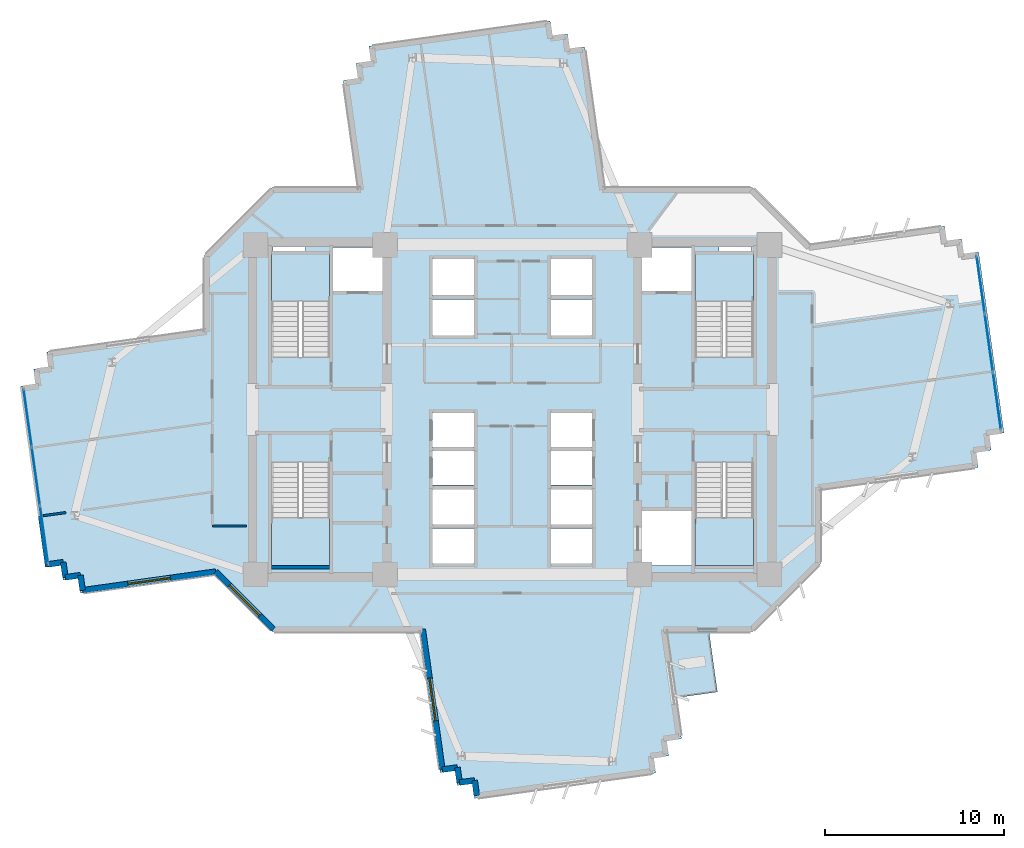
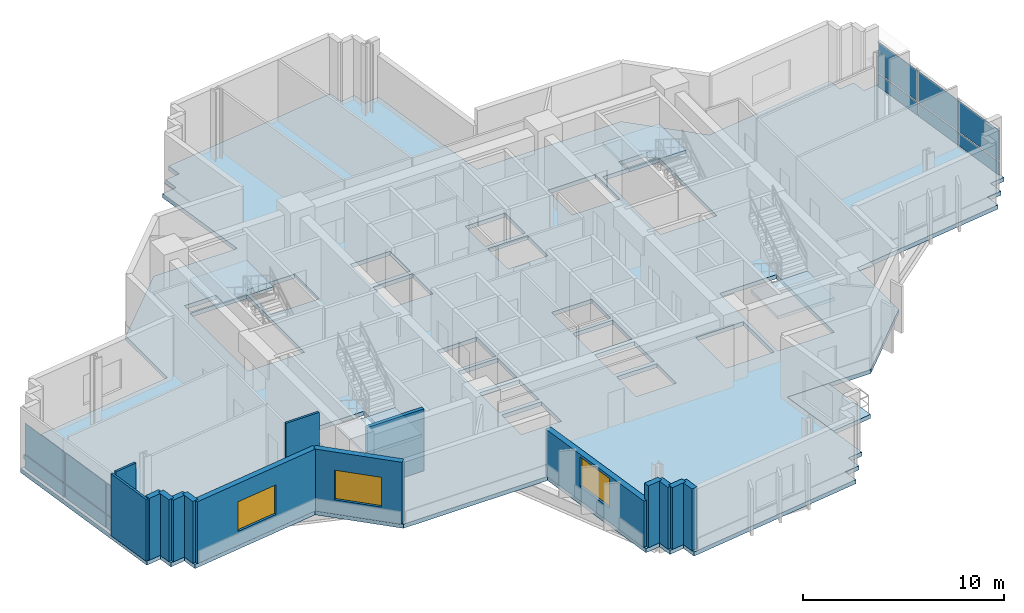
# One storey, part 5 of 14: 15 walls, 12 plates, 6 slabs, 3 windows, 3 openings, 6 elements without a shape of their own.
"""IFC4 building model written with IfcOpenShell, lengths in metres."""

from ifc_helpers import new_model, si_unit, direction, frame, frame_2d, origin, origin_2d, place, context, subcontext, project, spatial, polyline, rectangle, outline, extrude, source, transform, mapped, material, layer, layer_set, type_object, element, fill, aggregate, save


model = new_model("IFC4")

# Units and contexts
model_context = context("Model", 3, precision=1e-05, world=origin(), true_north=direction((0.0, 1.0)))
body_context = subcontext(model_context, "Body", "Model", "MODEL_VIEW")
ifc_project = project(units=[si_unit("LENGTHUNIT", "METRE"), si_unit("AREAUNIT", "SQUARE_METRE"), si_unit("VOLUMEUNIT", "CUBIC_METRE"), si_unit("PLANEANGLEUNIT", "RADIAN"), si_unit("MASSUNIT", "GRAM", prefix="KILO")], contexts=[model_context])

# Site, building, storey
site_placement = place(None, origin())
site = spatial("IfcSite", under=ifc_project, at=site_placement, CompositionType="ELEMENT")
building_placement = place(site_placement, origin())
building = spatial("IfcBuilding", under=site, at=building_placement, Name="Zahravan Cultural Tower", CompositionType="ELEMENT")
storey_placement = place(building_placement, frame((0.0, 0.0, 121.5)))
storey = spatial("IfcBuildingStorey", under=building, at=storey_placement, Name="L27", CompositionType="ELEMENT", Elevation=121.5)

# Stair, slab
ifc_material_1 = material(Name="Concrete C45/55", Category="concrete")
stair_type = type_object("IfcStairType", Name="STR-DL-1550-420", PredefinedType="HALF_TURN_STAIR", material=ifc_material_1)
stair_1_placement = place(storey_placement, origin())
stair_1 = element("IfcStair", 1, at=stair_1_placement, inside=storey, type_object=stair_type, Name="L27 West Core North Exit Stair ST-W1", PredefinedType="HALF_TURN_STAIR")
ifc_layer_1 = layer(ifc_material_1, 0.199951171875)
ifc_layer_set_1 = layer_set([ifc_layer_1], Name="Concrete C45/55")
slab_type_1 = type_object("IfcSlabType", Name="SL-STAIR-LND200", PredefinedType="LANDING", material=ifc_layer_set_1)
slab_1_placement = place(storey_placement, frame((0.0, 0.0, 1.89990234375)))
slab_1 = element("IfcSlab", 2, at=slab_1_placement, type_object=slab_type_1, Name="ST-W1 landing 1", PredefinedType="LANDING", context=body_context, shape_type="SweptSolid", body=[
    extrude(outline(polyline([(25.800048828125, 33.030029296875), (25.800048828125, 35.699951171875), (22.550048828125, 35.699951171875), (22.550048828125, 33.030029296875), (25.800048828125, 33.030029296875)])), origin(), (0.0, 0.0, 1.0), 0.2001953125),
])
aggregate(stair_1, [slab_1])

stair_2_placement = place(storey_placement, origin())
stair_2 = element("IfcStair", 3, at=stair_2_placement, inside=storey, type_object=stair_type, Name="L27 West Core South Exit Stair ST-W2", PredefinedType="HALF_TURN_STAIR")
slab_2_placement = place(storey_placement, frame((0.0, 0.0, 1.89990234375)))
slab_2 = element("IfcSlab", 4, at=slab_2_placement, type_object=slab_type_1, Name="ST-W2 landing 1", PredefinedType="LANDING", context=body_context, shape_type="SweptSolid", body=[
    extrude(outline(polyline([(22.550048828125, 20.969970703125), (22.550048828125, 18.300048828125), (25.800048828125, 18.300048828125), (25.800048828125, 20.969970703125), (22.550048828125, 20.969970703125)])), origin(), (0.0, 0.0, 1.0), 0.2001953125),
])
aggregate(stair_2, [slab_2])

stair_3_placement = place(storey_placement, origin())
stair_3 = element("IfcStair", 5, at=stair_3_placement, inside=storey, type_object=stair_type, Name="L27 East Core North Exit Stair ST-E1", PredefinedType="HALF_TURN_STAIR")
slab_3_placement = place(storey_placement, frame((0.0, 0.0, 1.89990234375)))
slab_3 = element("IfcSlab", 6, at=slab_3_placement, type_object=slab_type_1, Name="ST-E1 landing 1", PredefinedType="LANDING", context=body_context, shape_type="SweptSolid", body=[
    extrude(outline(polyline([(49.449951171875, 33.030029296875), (49.449951171875, 35.699951171875), (46.199951171875, 35.699951171875), (46.199951171875, 33.030029296875), (49.449951171875, 33.030029296875)])), origin(), (0.0, 0.0, 1.0), 0.2001953125),
])
aggregate(stair_3, [slab_3])

stair_4_placement = place(storey_placement, origin())
stair_4 = element("IfcStair", 7, at=stair_4_placement, inside=storey, type_object=stair_type, Name="L27 East Core South Exit Stair ST-E2", PredefinedType="HALF_TURN_STAIR")
slab_4_placement = place(storey_placement, frame((0.0, 0.0, 1.89990234375)))
slab_4 = element("IfcSlab", 8, at=slab_4_placement, type_object=slab_type_1, Name="ST-E2 landing 1", PredefinedType="LANDING", context=body_context, shape_type="SweptSolid", body=[
    extrude(outline(polyline([(46.199951171875, 20.969970703125), (46.199951171875, 18.300048828125), (49.449951171875, 18.300048828125), (49.449951171875, 20.969970703125), (46.199951171875, 20.969970703125)])), origin(), (0.0, 0.0, 1.0), 0.2001953125),
])
aggregate(stair_4, [slab_4])

# Slabs
ifc_material_2 = material(Name="Concrete C40/50", Category="concrete")
ifc_layer_2 = layer(ifc_material_2, 0.239990234375)
ifc_layer_set_2 = layer_set([ifc_layer_2], Name="Concrete C40/50")
slab_type_2 = type_object("IfcSlabType", Name="SL-TERR-240", PredefinedType="FLOOR", material=ifc_layer_set_2)
slab_5_placement = place(storey_placement, frame((0.0, 0.0, -0.239990234375)))
element("IfcSlab", 9, at=slab_5_placement, inside=storey, type_object=slab_type_2, Name="L27 Planted Sculpture Terrace SE", PredefinedType="FLOOR", context=body_context, shape_type="SweptSolid", body=[
    extrude(outline(polyline([(47.44921875, 11.23681640625), (46.978515625, 14.594970703125), (44.610595703125, 14.594970703125), (45.126953125, 10.911376953125), (47.44921875, 11.23681640625)])), origin(), (0.0, 0.0, 1.0), 0.239990234375),
])
ifc_layer_3 = layer(ifc_material_2, 0.25)
ifc_layer_set_3 = layer_set([ifc_layer_3], Name="Concrete C40/50")
slab_type_3 = type_object("IfcSlabType", Name="SL-TYP-250", PredefinedType="FLOOR", material=ifc_layer_set_3)
slab_6_placement = place(storey_placement, frame((0.0, 0.0, -0.25)))
element("IfcSlab", 10, at=slab_6_placement, inside=storey, type_object=slab_type_3, Name="L27 Structural Floor Slab", PredefinedType="FLOOR", context=body_context, shape_type="SweptSolid", body=[
    extrude(outline(polyline([(52.605712890625, 36.1943359375), (49.39990234375, 39.39990234375), (41.128173828125, 39.39990234375), (40.027099609375, 47.255126953125), (39.185302734375, 47.13720703125), (39.067138671875, 47.97900390625), (38.2255859375, 47.861083984375), (38.107421875, 48.70263671875), (28.006103515625, 47.28662109375), (28.124267578125, 46.44482421875), (27.282470703125, 46.326904296875), (27.400390625, 45.485107421875), (26.55859375, 45.3671875), (27.395263671875, 39.39990234375), (22.60009765625, 39.39990234375), (18.800048828125, 35.60009765625), (18.800048828125, 31.455322265625), (10.0009765625, 30.2216796875), (10.118896484375, 29.3798828125), (9.277099609375, 29.261962890625), (9.395263671875, 28.42041015625), (8.553466796875, 28.30224609375), (9.969482421875, 18.200927734375), (10.811279296875, 18.319091796875), (10.92919921875, 17.477294921875), (11.77099609375, 17.59521484375), (11.888916015625, 16.75341796875), (19.394287109375, 17.8056640625), (22.60009765625, 14.60009765625), (30.871826171875, 14.60009765625), (31.972900390625, 6.744873046875), (32.814697265625, 6.86279296875), (32.932861328125, 6.02099609375), (33.7744140625, 6.138916015625), (33.892578125, 5.29736328125), (43.993896484375, 6.71337890625), (43.875732421875, 7.55517578125), (44.717529296875, 7.673095703125), (44.599609375, 8.514892578125), (45.44140625, 8.6328125), (44.604736328125, 14.60009765625), (49.39990234375, 14.60009765625), (53.199951171875, 18.39990234375), (53.199951171875, 22.544677734375), (61.9990234375, 23.7783203125), (61.881103515625, 24.6201171875), (62.722900390625, 24.738037109375), (62.604736328125, 25.57958984375), (63.446533203125, 25.69775390625), (62.030517578125, 35.799072265625), (61.188720703125, 35.680908203125), (61.07080078125, 36.522705078125), (60.22900390625, 36.40478515625), (60.111083984375, 37.24658203125), (52.605712890625, 36.1943359375)]), holes=[polyline([(22.550048828125, 29.949951171875), (22.550048828125, 35.699951171875), (25.800048828125, 35.699951171875), (25.800048828125, 29.949951171875), (22.550048828125, 29.949951171875)]), polyline([(22.550048828125, 18.300048828125), (22.550048828125, 24.050048828125), (25.800048828125, 24.050048828125), (25.800048828125, 18.300048828125), (22.550048828125, 18.300048828125)]), polyline([(46.199951171875, 29.949951171875), (46.199951171875, 35.699951171875), (49.449951171875, 35.699951171875), (49.449951171875, 29.949951171875), (46.199951171875, 29.949951171875)]), polyline([(46.199951171875, 18.300048828125), (46.199951171875, 24.050048828125), (49.449951171875, 24.050048828125), (49.449951171875, 18.300048828125), (46.199951171875, 18.300048828125)]), polyline([(26.0, 33.60009765625), (26.0, 36.050048828125), (28.75, 36.050048828125), (28.75, 33.60009765625), (26.0, 33.60009765625)]), polyline([(43.25, 33.60009765625), (43.25, 36.050048828125), (46.0, 36.050048828125), (46.0, 33.60009765625), (43.25, 33.60009765625)]), polyline([(43.25, 18.300048828125), (43.25, 21.35009765625), (46.0, 21.35009765625), (46.0, 18.300048828125), (43.25, 18.300048828125)]), polyline([(31.550048828125, 33.39990234375), (31.550048828125, 35.39990234375), (33.85009765625, 35.39990234375), (33.85009765625, 33.39990234375), (31.550048828125, 33.39990234375)]), polyline([(31.550048828125, 31.14990234375), (31.550048828125, 33.14990234375), (33.85009765625, 33.14990234375), (33.85009765625, 31.14990234375), (31.550048828125, 31.14990234375)]), polyline([(38.14990234375, 33.39990234375), (38.14990234375, 35.39990234375), (40.449951171875, 35.39990234375), (40.449951171875, 33.39990234375), (38.14990234375, 33.39990234375)]), polyline([(38.14990234375, 31.14990234375), (38.14990234375, 33.14990234375), (40.449951171875, 33.14990234375), (40.449951171875, 31.14990234375), (38.14990234375, 31.14990234375)]), polyline([(31.550048828125, 20.60009765625), (31.550048828125, 22.550048828125), (33.85009765625, 22.550048828125), (33.85009765625, 20.60009765625), (31.550048828125, 20.60009765625)]), polyline([(31.550048828125, 18.39990234375), (31.550048828125, 20.35009765625), (33.85009765625, 20.35009765625), (33.85009765625, 18.39990234375), (31.550048828125, 18.39990234375)]), polyline([(38.14990234375, 20.60009765625), (38.14990234375, 22.550048828125), (40.449951171875, 22.550048828125), (40.449951171875, 20.60009765625), (38.14990234375, 20.60009765625)]), polyline([(38.14990234375, 18.39990234375), (38.14990234375, 20.35009765625), (40.449951171875, 20.35009765625), (40.449951171875, 18.39990234375), (38.14990234375, 18.39990234375)]), polyline([(31.550048828125, 24.89990234375), (31.550048828125, 26.800048828125), (33.85009765625, 26.800048828125), (33.85009765625, 24.89990234375), (31.550048828125, 24.89990234375)]), polyline([(31.550048828125, 22.800048828125), (31.550048828125, 24.699951171875), (33.85009765625, 24.699951171875), (33.85009765625, 22.800048828125), (31.550048828125, 22.800048828125)]), polyline([(38.14990234375, 24.89990234375), (38.14990234375, 26.800048828125), (40.449951171875, 26.800048828125), (40.449951171875, 24.89990234375), (38.14990234375, 24.89990234375)]), polyline([(38.14990234375, 22.800048828125), (38.14990234375, 24.699951171875), (40.449951171875, 24.699951171875), (40.449951171875, 22.800048828125), (38.14990234375, 22.800048828125)]), polyline([(22.64990234375, 35.800048828125), (22.64990234375, 36.419921875), (24.449951171875, 36.419921875), (24.449951171875, 35.800048828125), (22.64990234375, 35.800048828125)]), polyline([(47.550048828125, 35.800048828125), (47.550048828125, 36.419921875), (49.35009765625, 36.419921875), (49.35009765625, 35.800048828125), (47.550048828125, 35.800048828125)])]), origin(), (0.0, 0.0, 1.0), 0.25),
])

# Curtain wall, plates
ifc_material_3 = material(Name="Anodised bronze-aluminium mullion", Category="aluminium")
ifc_layer_4 = layer(ifc_material_3, 0.219970703125)
ifc_layer_set_4 = layer_set([ifc_layer_4], Name="Anodised bronze-aluminium mullion")
curtain_wall_type_1 = type_object("IfcCurtainWallType", Name="CW-SYS-1", PredefinedType="USERDEFINED", material=ifc_layer_set_4)
curtain_wall_1_placement = place(storey_placement, origin())
curtain_wall_1 = element("IfcCurtainWall", 11, at=curtain_wall_1_placement, inside=storey, type_object=curtain_wall_type_1, Name="L27 Recessed Curtain Wall CW-1.1", ObjectType="RECESSED GLAZING", PredefinedType="USERDEFINED")
ifc_material_4 = material(Name="Low-E solar-control double glazing", Category="glass")
ifc_layer_5 = layer(ifc_material_4, 0.031982421875)
ifc_layer_set_5 = layer_set([ifc_layer_5], Name="Low-E solar-control double glazing")
plate_type_1 = type_object("IfcPlateType", Name="CWP-CW-1", PredefinedType="CURTAIN_PANEL", material=ifc_layer_set_5)
shared_shape_1 = source(origin(), body_context, "Body", "SweptSolid", [
    extrude(rectangle(XDim=3.186767578125, YDim=0.031982421875, at=origin_2d()), origin(), (0.0, 0.0, 1.0), 0.780029296875),
])
plate_1_placement = place(storey_placement, frame((62.1435546875, 33.983642578125, 0.080078125), z_axis=(0.0, 0.0, 1.0), x_axis=(0.138829759313, -0.99031626157, 0.0)))
plate_1 = element("IfcPlate", 12, at=plate_1_placement, type_object=plate_type_1, Name="CW-1 panel 1.1", PredefinedType="CURTAIN_PANEL", context=body_context, shape_type="MappedRepresentation", body=[
    mapped(shared_shape_1, transform((0.0, 0.0, 0.0), x_axis=(1.0, 0.0, 0.0), y_axis=(0.0, 1.0, 0.0), z_axis=(0.0, 0.0, 1.0), scale=1.0)),
])
plate_2_placement = place(storey_placement, frame((63.05615234375, 27.47412109375, 0.080078125), z_axis=(0.0, 0.0, 1.0), x_axis=(0.138829759313, -0.99031626157, 0.0)))
plate_2 = element("IfcPlate", 13, at=plate_2_placement, type_object=plate_type_1, Name="CW-1 panel 3.1", PredefinedType="CURTAIN_PANEL", context=body_context, shape_type="MappedRepresentation", body=[
    mapped(shared_shape_1, transform((0.0, 0.0, 0.0), x_axis=(1.0, 0.0, 0.0), y_axis=(0.0, 1.0, 0.0), z_axis=(0.0, 0.0, 1.0), scale=1.0)),
])
shared_shape_2 = source(origin(), body_context, "Body", "SweptSolid", [
    extrude(rectangle(XDim=3.226806640625, YDim=0.031982421875, at=origin_2d()), origin(), (0.0, 0.0, 1.0), 0.780029296875),
])
plate_3_placement = place(storey_placement, frame((62.599853515625, 30.72900390625, 0.080078125), z_axis=(0.0, 0.0, 1.0), x_axis=(0.138829759313, -0.99031626157, 0.0)))
plate_3 = element("IfcPlate", 14, at=plate_3_placement, type_object=plate_type_1, Name="CW-1 panel 2.1", PredefinedType="CURTAIN_PANEL", context=body_context, shape_type="MappedRepresentation", body=[
    mapped(shared_shape_2, transform((0.0, 0.0, 0.0), x_axis=(1.0, 0.0, 0.0), y_axis=(0.0, 1.0, 0.0), z_axis=(0.0, 0.0, 1.0), scale=1.0)),
])

ifc_layer_6 = layer(ifc_material_3, 0.199951171875)
ifc_layer_set_6 = layer_set([ifc_layer_6], Name="Anodised bronze-aluminium mullion")
curtain_wall_type_2 = type_object("IfcCurtainWallType", Name="CW-SYS-2", PredefinedType="USERDEFINED", material=ifc_layer_set_6)
curtain_wall_2_placement = place(storey_placement, origin())
curtain_wall_2 = element("IfcCurtainWall", 15, at=curtain_wall_2_placement, inside=storey, type_object=curtain_wall_type_2, Name="L27 Recessed Curtain Wall CW-2.2", ObjectType="RECESSED GLAZING", PredefinedType="USERDEFINED")
ifc_layer_7 = layer(ifc_material_4, 0.030029296875)
ifc_layer_set_7 = layer_set([ifc_layer_7], Name="Low-E solar-control double glazing")
plate_type_2 = type_object("IfcPlateType", Name="CWP-CW-2", PredefinedType="CURTAIN_PANEL", material=ifc_layer_set_7)
shared_shape_3 = source(origin(), body_context, "Body", "SweptSolid", [
    extrude(rectangle(XDim=3.194091796875, YDim=0.030029296875, at=origin_2d()), origin(), (0.0, 0.0, 1.0), 0.78759765625),
])
plate_4_placement = place(storey_placement, frame((9.8564453125, 20.014892578125, 0.074951171875), z_axis=(0.0, 0.0, 1.0), x_axis=(-0.138829759313, 0.99031626157, 0.0)))
plate_4 = element("IfcPlate", 16, at=plate_4_placement, type_object=plate_type_2, Name="CW-2 panel 1.1", PredefinedType="CURTAIN_PANEL", context=body_context, shape_type="MappedRepresentation", body=[
    mapped(shared_shape_3, transform((0.0, 0.0, 0.0), x_axis=(1.0, 0.0, 0.0), y_axis=(0.0, 1.0, 0.0), z_axis=(0.0, 0.0, 1.0), scale=1.0)),
])
plate_5_placement = place(storey_placement, frame((8.943603515625, 26.527099609375, 0.074951171875), z_axis=(0.0, 0.0, 1.0), x_axis=(-0.138829759313, 0.99031626157, 0.0)))
plate_5 = element("IfcPlate", 17, at=plate_5_placement, type_object=plate_type_2, Name="CW-2 panel 3.1", PredefinedType="CURTAIN_PANEL", context=body_context, shape_type="MappedRepresentation", body=[
    mapped(shared_shape_3, transform((0.0, 0.0, 0.0), x_axis=(1.0, 0.0, 0.0), y_axis=(0.0, 1.0, 0.0), z_axis=(0.0, 0.0, 1.0), scale=1.0)),
])
shared_shape_4 = source(origin(), body_context, "Body", "SweptSolid", [
    extrude(rectangle(XDim=3.231689453125, YDim=0.030029296875, at=origin_2d()), origin(), (0.0, 0.0, 1.0), 0.78759765625),
])
plate_6_placement = place(storey_placement, frame((9.400146484375, 23.27099609375, 0.074951171875), z_axis=(0.0, 0.0, 1.0), x_axis=(-0.138829759313, 0.99031626157, 0.0)))
plate_6 = element("IfcPlate", 18, at=plate_6_placement, type_object=plate_type_2, Name="CW-2 panel 2.1", PredefinedType="CURTAIN_PANEL", context=body_context, shape_type="MappedRepresentation", body=[
    mapped(shared_shape_4, transform((0.0, 0.0, 0.0), x_axis=(1.0, 0.0, 0.0), y_axis=(0.0, 1.0, 0.0), z_axis=(0.0, 0.0, 1.0), scale=1.0)),
])

# Plate
shared_shape_5 = source(origin(), body_context, "Body", "SweptSolid", [
    extrude(rectangle(XDim=3.186767578125, YDim=0.031982421875, at=origin_2d()), origin(), (0.0, 0.0, 1.0), 1.85009765625),
])
plate_7_placement = place(storey_placement, frame((62.1435546875, 33.983642578125, 0.93994140625), z_axis=(0.0, 0.0, 1.0), x_axis=(0.138829759313, -0.99031626157, 0.0)))
plate_7 = element("IfcPlate", 19, at=plate_7_placement, type_object=plate_type_1, Name="CW-1 panel 1.2", PredefinedType="CURTAIN_PANEL", context=body_context, shape_type="MappedRepresentation", body=[
    mapped(shared_shape_5, transform((0.0, 0.0, 0.0), x_axis=(1.0, 0.0, 0.0), y_axis=(0.0, 1.0, 0.0), z_axis=(0.0, 0.0, 1.0), scale=1.0)),
])

plate_8_placement = place(storey_placement, frame((63.05615234375, 27.47412109375, 0.93994140625), z_axis=(0.0, 0.0, 1.0), x_axis=(0.138829759313, -0.99031626157, 0.0)))
plate_8 = element("IfcPlate", 20, at=plate_8_placement, type_object=plate_type_1, Name="CW-1 panel 3.2", PredefinedType="CURTAIN_PANEL", context=body_context, shape_type="MappedRepresentation", body=[
    mapped(shared_shape_5, transform((0.0, 0.0, 0.0), x_axis=(1.0, 0.0, 0.0), y_axis=(0.0, 1.0, 0.0), z_axis=(0.0, 0.0, 1.0), scale=1.0)),
])

shared_shape_6 = source(origin(), body_context, "Body", "SweptSolid", [
    extrude(rectangle(XDim=3.226806640625, YDim=0.031982421875, at=origin_2d()), origin(), (0.0, 0.0, 1.0), 1.85009765625),
])
plate_9_placement = place(storey_placement, frame((62.599853515625, 30.72900390625, 0.93994140625), z_axis=(0.0, 0.0, 1.0), x_axis=(0.138829759313, -0.99031626157, 0.0)))
plate_9 = element("IfcPlate", 21, at=plate_9_placement, type_object=plate_type_1, Name="CW-1 panel 2.2", PredefinedType="CURTAIN_PANEL", context=body_context, shape_type="MappedRepresentation", body=[
    mapped(shared_shape_6, transform((0.0, 0.0, 0.0), x_axis=(1.0, 0.0, 0.0), y_axis=(0.0, 1.0, 0.0), z_axis=(0.0, 0.0, 1.0), scale=1.0)),
])

aggregate(curtain_wall_1, [plate_1, plate_7, plate_3, plate_9, plate_2, plate_8])

shared_shape_7 = source(origin(), body_context, "Body", "SweptSolid", [
    extrude(rectangle(XDim=3.194091796875, YDim=0.030029296875, at=origin_2d()), origin(), (0.0, 0.0, 1.0), 1.857421875),
])
plate_10_placement = place(storey_placement, frame((9.8564453125, 20.014892578125, 0.9375), z_axis=(0.0, 0.0, 1.0), x_axis=(-0.138829759313, 0.99031626157, 0.0)))
plate_10 = element("IfcPlate", 22, at=plate_10_placement, type_object=plate_type_2, Name="CW-2 panel 1.2", PredefinedType="CURTAIN_PANEL", context=body_context, shape_type="MappedRepresentation", body=[
    mapped(shared_shape_7, transform((0.0, 0.0, 0.0), x_axis=(1.0, 0.0, 0.0), y_axis=(0.0, 1.0, 0.0), z_axis=(0.0, 0.0, 1.0), scale=1.0)),
])

plate_11_placement = place(storey_placement, frame((8.943603515625, 26.527099609375, 0.9375), z_axis=(0.0, 0.0, 1.0), x_axis=(-0.138829759313, 0.99031626157, 0.0)))
plate_11 = element("IfcPlate", 23, at=plate_11_placement, type_object=plate_type_2, Name="CW-2 panel 3.2", PredefinedType="CURTAIN_PANEL", context=body_context, shape_type="MappedRepresentation", body=[
    mapped(shared_shape_7, transform((0.0, 0.0, 0.0), x_axis=(1.0, 0.0, 0.0), y_axis=(0.0, 1.0, 0.0), z_axis=(0.0, 0.0, 1.0), scale=1.0)),
])

shared_shape_8 = source(origin(), body_context, "Body", "SweptSolid", [
    extrude(rectangle(XDim=3.231689453125, YDim=0.030029296875, at=origin_2d()), origin(), (0.0, 0.0, 1.0), 1.857421875),
])
plate_12_placement = place(storey_placement, frame((9.400146484375, 23.27099609375, 0.9375), z_axis=(0.0, 0.0, 1.0), x_axis=(-0.138829759313, 0.99031626157, 0.0)))
plate_12 = element("IfcPlate", 24, at=plate_12_placement, type_object=plate_type_2, Name="CW-2 panel 2.2", PredefinedType="CURTAIN_PANEL", context=body_context, shape_type="MappedRepresentation", body=[
    mapped(shared_shape_8, transform((0.0, 0.0, 0.0), x_axis=(1.0, 0.0, 0.0), y_axis=(0.0, 1.0, 0.0), z_axis=(0.0, 0.0, 1.0), scale=1.0)),
])

aggregate(curtain_wall_2, [plate_4, plate_10, plate_6, plate_12, plate_5, plate_11])

# Wall, opening, window
ifc_material_5 = material(Name="Precast concrete C40/50", Category="concrete")
ifc_layer_8 = layer(ifc_material_5, 0.320068359375)
ifc_layer_set_8 = layer_set([ifc_layer_8], Name="Precast concrete C40/50")
wall_type_1 = type_object("IfcWallType", Name="EW-TC-320", PredefinedType="SOLIDWALL", material=ifc_layer_set_8)
wall_1_placement = place(storey_placement, frame((32.09228515625, 6.90283203125, 0.0), z_axis=(0.0, 0.0, 1.0), x_axis=(-0.138855403592, 0.990312666229, 0.0)))
wall_1 = element("IfcWall", 25, at=wall_1_placement, inside=storey, type_object=wall_type_1, Name="L27 Exterior Masonry Frame Wall 24", PredefinedType="SOLIDWALL", context=body_context, shape_type="SweptSolid", body=[
    extrude(rectangle(XDim=7.913818359375, YDim=0.320068359375, at=frame_2d((3.95703125, 0.0))), origin(), (0.0, 0.0, 1.0), 2.81005859375),
])
opening_1_placement = place(wall_1_placement, frame((2.757080078125, 0.0, 0.85009765625)))
opening_1 = element("IfcOpeningElement", 26, at=opening_1_placement, cuts=wall_1, Name="Opening WN-01", PredefinedType="OPENING", context=body_context, shape_type="SweptSolid", body=[
    extrude(rectangle(XDim=2.39990234375, YDim=1.800048828125, at=frame_2d((1.199951171875, 0.89990234375))), frame((0.0, 0.169921875, 0.0), z_axis=(0.0, -1.0, 0.0), x_axis=(1.0, 0.0, 0.0)), (0.0, 0.0, 1.0), 0.340087890625),
])
window_type = type_object("IfcWindowType", Name="WN-REC-2400X1800", PartitioningType="DOUBLE_PANEL_VERTICAL", PredefinedType="WINDOW", material=ifc_material_4)
shared_shape_9 = source(origin(), body_context, "Body", "SweptSolid", [
    extrude(rectangle(XDim=2.39990234375, YDim=1.800048828125, at=frame_2d((1.199951171875, 0.89990234375))), frame((0.0, 0.030029296875, 0.0), z_axis=(0.0, -1.0, 0.0), x_axis=(1.0, 0.0, 0.0)), (0.0, 0.0, 1.0), 0.06005859375),
])
window_1_placement = place(opening_1_placement, origin())
window_1 = element("IfcWindow", 27, at=window_1_placement, inside=storey, type_object=window_type, Name="L27 Recessed Solar Window 05", OverallHeight=1.800048828125, OverallWidth=2.39990234375, PartitioningType="DOUBLE_PANEL_VERTICAL", PredefinedType="WINDOW", context=body_context, shape_type="MappedRepresentation", body=[
    mapped(shared_shape_9, transform((0.0, 0.0, 0.0), x_axis=(1.0, 0.0, 0.0), y_axis=(0.0, 1.0, 0.0), z_axis=(0.0, 0.0, 1.0), scale=1.0)),
])
fill(opening_1, window_1)

wall_2_placement = place(storey_placement, frame((22.657958984375, 14.739990234375, 0.0), z_axis=(0.0, 0.0, 1.0), x_axis=(-0.707106781187, 0.707106781187, 0.0)))
wall_2 = element("IfcWall", 28, at=wall_2_placement, inside=storey, type_object=wall_type_1, Name="L27 Exterior Masonry Frame Wall 26", PredefinedType="SOLIDWALL", context=body_context, shape_type="SweptSolid", body=[
    extrude(rectangle(XDim=4.545166015625, YDim=0.320068359375, at=frame_2d((2.2724609375, 0.0))), origin(), (0.0, 0.0, 1.0), 3.75),
])
opening_2_placement = place(wall_2_placement, frame((1.072998046875, 0.0, 0.85009765625)))
opening_2 = element("IfcOpeningElement", 29, at=opening_2_placement, cuts=wall_2, Name="Opening WN-01", PredefinedType="OPENING", context=body_context, shape_type="SweptSolid", body=[
    extrude(rectangle(XDim=2.39990234375, YDim=1.800048828125, at=frame_2d((1.199951171875, 0.89990234375))), frame((0.0, 0.169921875, 0.0), z_axis=(0.0, -1.0, 0.0), x_axis=(1.0, 0.0, 0.0)), (0.0, 0.0, 1.0), 0.340087890625),
])
window_2_placement = place(opening_2_placement, origin())
window_2 = element("IfcWindow", 30, at=window_2_placement, inside=storey, type_object=window_type, Name="L27 Recessed Solar Window 06", OverallHeight=1.800048828125, OverallWidth=2.39990234375, PartitioningType="DOUBLE_PANEL_VERTICAL", PredefinedType="WINDOW", context=body_context, shape_type="MappedRepresentation", body=[
    mapped(shared_shape_9, transform((0.0, 0.0, 0.0), x_axis=(1.0, 0.0, 0.0), y_axis=(0.0, 1.0, 0.0), z_axis=(0.0, 0.0, 1.0), scale=1.0)),
])
fill(opening_2, window_2)

wall_3_placement = place(storey_placement, frame((19.444091796875, 17.953857421875, 0.0), z_axis=(0.0, 0.0, 1.0), x_axis=(-0.990319321248, -0.138807931917, 0.0)))
wall_3 = element("IfcWall", 31, at=wall_3_placement, inside=storey, type_object=wall_type_1, Name="L27 Exterior Masonry Frame Wall 27", PredefinedType="SOLIDWALL", context=body_context, shape_type="SweptSolid", body=[
    extrude(rectangle(XDim=7.508544921875, YDim=0.320068359375, at=frame_2d((3.75439453125, 0.0))), origin(), (0.0, 0.0, 1.0), 3.75),
])
opening_3_placement = place(wall_3_placement, frame((2.553955078125, 0.0, 0.85009765625)))
opening_3 = element("IfcOpeningElement", 32, at=opening_3_placement, cuts=wall_3, Name="Opening WN-01", PredefinedType="OPENING", context=body_context, shape_type="SweptSolid", body=[
    extrude(rectangle(XDim=2.39990234375, YDim=1.800048828125, at=frame_2d((1.199951171875, 0.89990234375))), frame((0.0, 0.169921875, 0.0), z_axis=(0.0, -1.0, 0.0), x_axis=(1.0, 0.0, 0.0)), (0.0, 0.0, 1.0), 0.340087890625),
])
window_3_placement = place(opening_3_placement, origin())
window_3 = element("IfcWindow", 33, at=window_3_placement, inside=storey, type_object=window_type, Name="L27 Recessed Solar Window 07", OverallHeight=1.800048828125, OverallWidth=2.39990234375, PartitioningType="DOUBLE_PANEL_VERTICAL", PredefinedType="WINDOW", context=body_context, shape_type="MappedRepresentation", body=[
    mapped(shared_shape_9, transform((0.0, 0.0, 0.0), x_axis=(1.0, 0.0, 0.0), y_axis=(0.0, 1.0, 0.0), z_axis=(0.0, 0.0, 1.0), scale=1.0)),
])
fill(opening_3, window_3)

# Walls
shared_shape_10 = source(origin(), body_context, "Body", "SweptSolid", [
    extrude(rectangle(XDim=0.85009765625, YDim=0.320068359375, at=frame_2d((0.425048828125, 0.0))), origin(), (0.0, 0.0, 1.0), 3.75),
])
for number, where, z_axis, x_axis, name in (
    (34, (34.01171875, 5.455322265625, 0.0), (0.0, 0.0, 1.0), (-0.138726719425, 0.990330700987, 0.0), "L27 Exterior Masonry Frame Wall 20"),
    (35, (33.893798828125, 6.297119140625, 0.0), (0.0, 0.0, 1.0), (-0.990330700987, -0.138726719425, 0.0), "L27 Exterior Masonry Frame Wall 21"),
    (36, (33.052001953125, 6.17919921875, 0.0), (0.0, 0.0, 1.0), (-0.138726719425, 0.990330700987, 0.0), "L27 Exterior Masonry Frame Wall 22"),
    (37, (32.93408203125, 7.02099609375, 0.0), (0.0, 0.0, 1.0), (-0.990291202841, -0.139008393902, 0.0), "L27 Exterior Masonry Frame Wall 23"),
    (38, (12.00830078125, 16.91162109375, 0.0), (0.0, 0.0, 1.0), (-0.139008393902, 0.990291202841, 0.0), "L27 Exterior Masonry Frame Wall 28"),
    (39, (11.89013671875, 17.75341796875, 0.0), (0.0, 0.0, 1.0), (-0.990330700987, -0.138726719425, 0.0), "L27 Exterior Masonry Frame Wall 29"),
    (40, (10.930419921875, 18.47705078125, 0.0), (0.0, 0.0, 1.0), (-0.990330700987, -0.138726719425, 0.0), "L27 Exterior Masonry Frame Wall 31"),
):
    element("IfcWall", number, at=place(storey_placement, frame(where, z_axis=z_axis, x_axis=x_axis)), inside=storey, type_object=wall_type_1, Name=name, PredefinedType="SOLIDWALL", context=body_context, shape_type="MappedRepresentation", body=[
        mapped(shared_shape_10, transform((0.0, 0.0, 0.0), x_axis=(1.0, 0.0, 0.0), y_axis=(0.0, 1.0, 0.0), z_axis=(0.0, 0.0, 1.0), scale=1.0)),
    ])
shared_shape_11 = source(origin(), body_context, "Body", "SweptSolid", [
    extrude(rectangle(XDim=0.849853515625, YDim=0.320068359375, at=frame_2d((0.4248046875, 0.0))), origin(), (0.0, 0.0, 1.0), 3.75),
])
wall_4_placement = place(storey_placement, frame((11.04833984375, 17.635498046875, 0.0), z_axis=(0.0, 0.0, 1.0), x_axis=(-0.138766190202, 0.990325171071, 0.0)))
element("IfcWall", 41, at=wall_4_placement, inside=storey, type_object=wall_type_1, Name="L27 Exterior Masonry Frame Wall 30", PredefinedType="SOLIDWALL", context=body_context, shape_type="MappedRepresentation", body=[
    mapped(shared_shape_11, transform((0.0, 0.0, 0.0), x_axis=(1.0, 0.0, 0.0), y_axis=(0.0, 1.0, 0.0), z_axis=(0.0, 0.0, 1.0), scale=1.0)),
])
ifc_layer_9 = layer(ifc_material_1, 0.199951171875)
ifc_layer_set_9 = layer_set([ifc_layer_9], Name="Concrete C45/55")
wall_type_2 = type_object("IfcWallType", Name="W-SHAFT-200", PredefinedType="SOLIDWALL", material=ifc_layer_set_9)
shared_shape_12 = source(origin(), body_context, "Body", "SweptSolid", [
    extrude(rectangle(XDim=3.25, YDim=0.199951171875, at=frame_2d((1.625, 0.0))), origin(), (0.0, 0.0, 1.0), 3.75),
])
wall_5_placement = place(storey_placement, frame((22.550048828125, 18.199951171875, 0.0), z_axis=(0.0, 0.0, 1.0), x_axis=(1.0, 0.0, 0.0)))
element("IfcWall", 42, at=wall_5_placement, inside=storey, type_object=wall_type_2, Name="L27 Interior Wall 019", PredefinedType="SOLIDWALL", context=body_context, shape_type="MappedRepresentation", body=[
    mapped(shared_shape_12, transform((0.0, 0.0, 0.0), x_axis=(1.0, 0.0, 0.0), y_axis=(0.0, 1.0, 0.0), z_axis=(0.0, 0.0, 1.0), scale=1.0)),
])
ifc_material_6 = material(Name="Gypsum plasterboard partition")
ifc_layer_10 = layer(ifc_material_6, 0.125)
ifc_layer_set_10 = layer_set([ifc_layer_10], Name="Gypsum plasterboard partition")
wall_type_3 = type_object("IfcWallType", Name="W-PART-125", PredefinedType="PARTITIONING", material=ifc_layer_set_10)
shared_shape_13 = source(origin(), body_context, "Body", "SweptSolid", [
    extrude(rectangle(XDim=1.27197265625, YDim=0.125, at=frame_2d((0.635986328125, 0.0))), origin(), (0.0, 0.0, 1.0), 3.75),
])
wall_6_placement = place(storey_placement, frame((11.073486328125, 21.25390625, 0.0), z_axis=(0.0, 0.0, 1.0), x_axis=(-0.990325928558, -0.138760784176, 0.0)))
element("IfcWall", 43, at=wall_6_placement, inside=storey, type_object=wall_type_3, Name="L27 Interior Wall 089", PredefinedType="PARTITIONING", context=body_context, shape_type="MappedRepresentation", body=[
    mapped(shared_shape_13, transform((0.0, 0.0, 0.0), x_axis=(1.0, 0.0, 0.0), y_axis=(0.0, 1.0, 0.0), z_axis=(0.0, 0.0, 1.0), scale=1.0)),
])
shared_shape_14 = source(origin(), body_context, "Body", "SweptSolid", [
    extrude(rectangle(XDim=1.8984375, YDim=0.125, at=frame_2d((0.94921875, 0.0))), origin(), (0.0, 0.0, 1.0), 3.75),
])
wall_7_placement = place(storey_placement, frame((19.2509765625, 20.5009765625, 0.0), z_axis=(0.0, 0.0, 1.0), x_axis=(0.999998999442, 0.001414607638, 0.0)))
element("IfcWall", 44, at=wall_7_placement, inside=storey, type_object=wall_type_3, Name="L27 Interior Wall 109", PredefinedType="PARTITIONING", context=body_context, shape_type="MappedRepresentation", body=[
    mapped(shared_shape_14, transform((0.0, 0.0, 0.0), x_axis=(1.0, 0.0, 0.0), y_axis=(0.0, 1.0, 0.0), z_axis=(0.0, 0.0, 1.0), scale=1.0)),
])
shared_shape_15 = source(origin(), body_context, "Body", "SweptSolid", [
    extrude(rectangle(XDim=2.829833984375, YDim=0.125, at=frame_2d((1.4150390625, 0.0))), origin(), (0.0, 0.0, 1.0), 3.75),
])
wall_8_placement = place(storey_placement, frame((9.986572265625, 18.2236328125, 0.0), z_axis=(0.0, 0.0, 1.0), x_axis=(-0.138811993372, 0.990318751966, 0.0)))
element("IfcWall", 45, at=wall_8_placement, inside=storey, type_object=wall_type_3, Name="L27 Interior Wall 111", PredefinedType="PARTITIONING", context=body_context, shape_type="MappedRepresentation", body=[
    mapped(shared_shape_15, transform((0.0, 0.0, 0.0), x_axis=(1.0, 0.0, 0.0), y_axis=(0.0, 1.0, 0.0), z_axis=(0.0, 0.0, 1.0), scale=1.0)),
])

save(model, "model.ifc")
